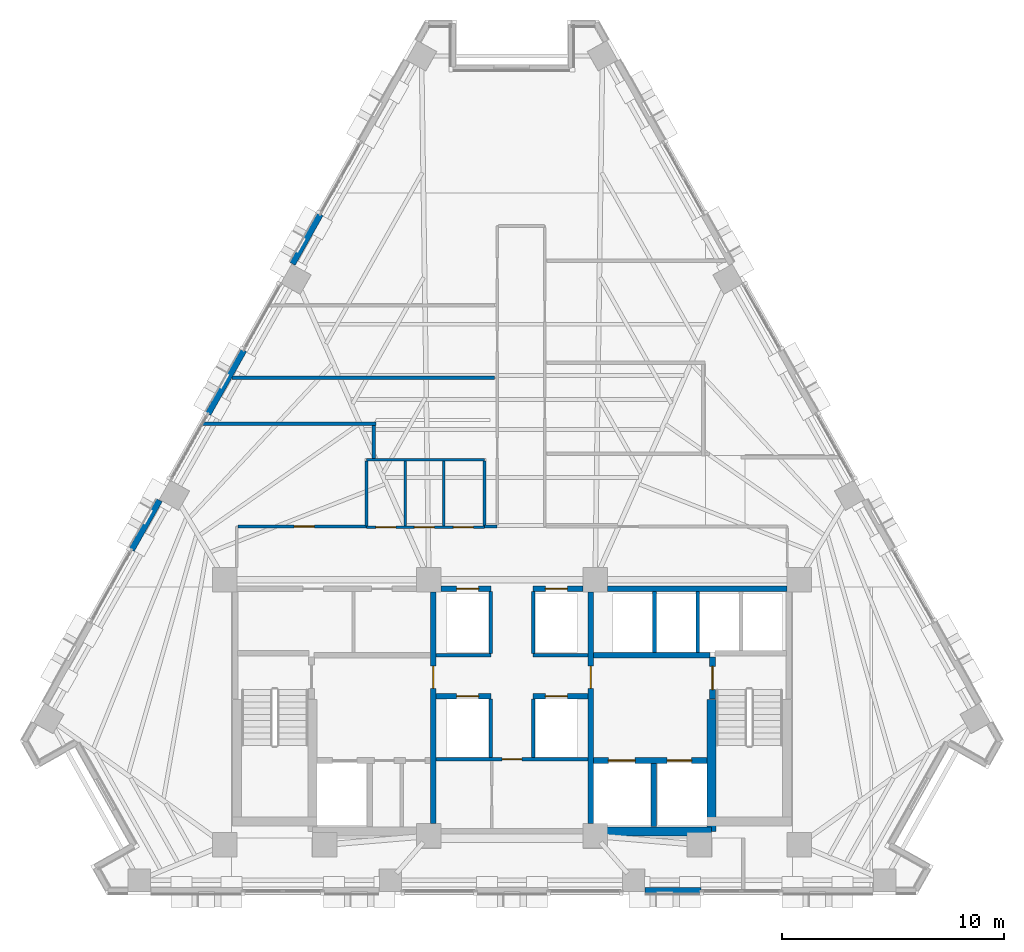
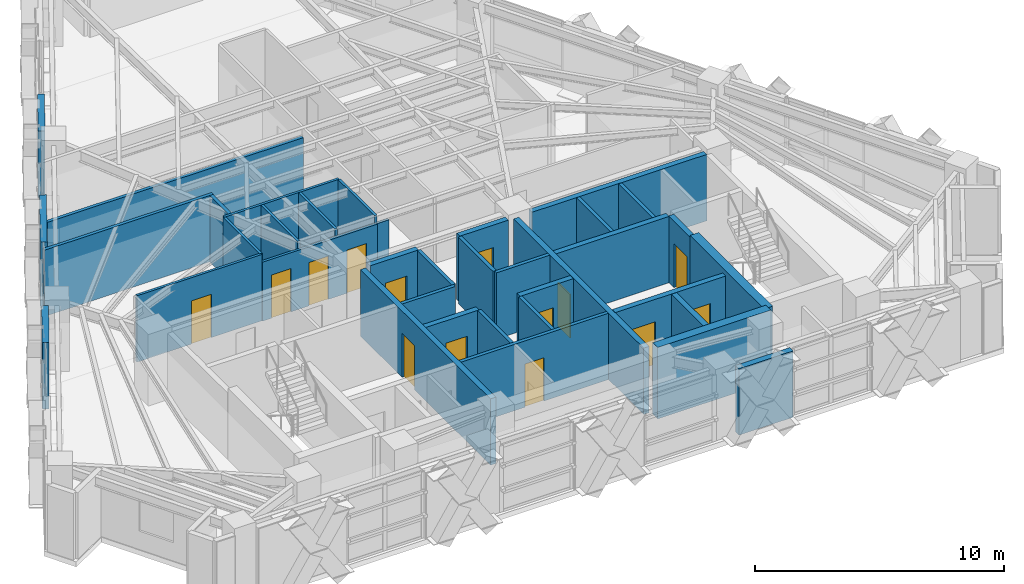
# One storey, part 8 of 14: 37 walls, 14 doors, 14 openings.
"""IFC4 building model written with IfcOpenShell, lengths in metres."""

from ifc_helpers import new_model, si_unit, direction, frame, frame_2d, origin, place, context, subcontext, project, spatial, rectangle, extrude, material, layer, layer_set, type_object, element, fill, save


model = new_model("IFC4")

# Units and contexts
model_context = context("Model", 3, precision=1e-05, world=origin(), true_north=direction((0.0, 1.0)))
body_context = subcontext(model_context, "Body", "Model", "MODEL_VIEW")
ifc_project = project(units=[si_unit("LENGTHUNIT", "METRE"), si_unit("AREAUNIT", "SQUARE_METRE"), si_unit("VOLUMEUNIT", "CUBIC_METRE"), si_unit("PLANEANGLEUNIT", "RADIAN"), si_unit("MASSUNIT", "GRAM", prefix="KILO")], contexts=[model_context])

# Site, building, storey
site_placement = place(None, origin())
site = spatial("IfcSite", under=ifc_project, at=site_placement, CompositionType="ELEMENT")
building_placement = place(site_placement, origin())
building = spatial("IfcBuilding", under=site, at=building_placement, Name="Quenlor Broadcast Tower", CompositionType="ELEMENT")
storey_placement = place(building_placement, frame((0.0, 0.0, 133.5)))
storey = spatial("IfcBuildingStorey", under=building, at=storey_placement, Name="L36", CompositionType="ELEMENT", Elevation=133.5)

# Walls
ifc_material_1 = material(Name="Acoustic Double Stud Gypsum Partition", Category="other")
ifc_layer_1 = layer(ifc_material_1, 0.14990234375)
ifc_layer_set_1 = layer_set([ifc_layer_1], Name="Broadcast Studio Acoustic Partition 150")
wall_type_1 = type_object("IfcWallType", Name="Broadcast Studio Acoustic Partition 150", PredefinedType="PARTITIONING", material=ifc_layer_set_1)
wall_1_placement = place(storey_placement, frame((-0.780029296875, 4.304931640625, 0.0), z_axis=(0.0, 0.0, 1.0), x_axis=(-1.0, 0.0, 0.0)))
element("IfcWall", 1, at=wall_1_placement, inside=storey, type_object=wall_type_1, Name="L36 Interior Wall PW-DV-03", PredefinedType="PARTITIONING", context=body_context, shape_type="SweptSolid", body=[
    extrude(rectangle(XDim=11.84716796875, YDim=0.14990234375, at=frame_2d((5.923583984375, 0.0))), origin(), (0.0, 0.0, 1.0), 2.891357421875),
])
wall_2_placement = place(storey_placement, frame((-6.139892578125, 2.233642578125, 0.0), z_axis=(0.0, 0.0, 1.0), x_axis=(-0.999999875343, -0.000499313382, 0.0)))
element("IfcWall", 2, at=wall_2_placement, inside=storey, type_object=wall_type_1, Name="L36 Interior Wall PW-DV-08", PredefinedType="PARTITIONING", context=body_context, shape_type="SweptSolid", body=[
    extrude(rectangle(XDim=7.8232421875, YDim=0.14990234375, at=frame_2d((3.91162109375, 0.0))), origin(), (0.0, 0.0, 1.0), 3.25),
])
wall_3_placement = place(storey_placement, frame((-6.239990234375, 0.669921875, 0.0), z_axis=(0.0, 0.0, 1.0), x_axis=(0.0, 1.0, 0.0)))
element("IfcWall", 3, at=wall_3_placement, inside=storey, type_object=wall_type_1, Name="L36 Interior Wall PW-DV-09", PredefinedType="PARTITIONING", context=body_context, shape_type="SweptSolid", body=[
    extrude(rectangle(XDim=1.486572265625, YDim=0.14990234375, at=frame_2d((0.7431640625, 0.0))), origin(), (0.0, 0.0, 1.0), 3.25),
])
ifc_material_2 = material(Name="Concrete C50/60", Category="concrete")
ifc_layer_2 = layer(ifc_material_2, 0.39990234375)
ifc_layer_set_2 = layer_set([ifc_layer_2], Name="Core Concrete C50/60 Shear Wall 400")
wall_type_2 = type_object("IfcWallType", Name="Core Concrete C50/60 Shear Wall 400", PredefinedType="SHEAR", material=ifc_layer_set_2)
wall_4_placement = place(storey_placement, frame((3.75, -16.14990234375, 0.0), z_axis=(0.0, 0.0, 1.0), x_axis=(1.0, 0.0, 0.0)))
element("IfcWall", 4, at=wall_4_placement, inside=storey, type_object=wall_type_2, Name="L36 Core Shear Wall WS-E1", PredefinedType="SHEAR", context=body_context, shape_type="SweptSolid", body=[
    extrude(rectangle(XDim=5.25, YDim=0.39990234375, at=frame_2d((2.625, 0.0))), origin(), (0.0, 0.0, 1.0), 3.5),
])
wall_5_placement = place(storey_placement, frame((9.0, -16.14990234375, 0.0), z_axis=(0.0, 0.0, 1.0), x_axis=(0.0, 1.0, 0.0)))
element("IfcWall", 5, at=wall_5_placement, inside=storey, type_object=wall_type_2, Name="L36 Core Shear Wall WI-E", PredefinedType="SHEAR", context=body_context, shape_type="SweptSolid", body=[
    extrude(rectangle(XDim=5.949951171875, YDim=0.39990234375, at=frame_2d((2.97509765625, 0.0))), origin(), (0.0, 0.0, 1.0), 3.5),
])

# Wall, opening, door
ifc_material_3 = material(Name="Concrete C40/50", Category="concrete")
ifc_layer_3 = layer(ifc_material_3, 0.25)
ifc_layer_set_3 = layer_set([ifc_layer_3], Name="Fire Rated Concrete C40/50 Core Wall 250")
wall_type_3 = type_object("IfcWallType", Name="Fire Rated Concrete C40/50 Core Wall 250", PredefinedType="PARTITIONING", material=ifc_layer_set_3)
wall_6_placement = place(storey_placement, frame((9.0400390625, -10.179931640625, 0.0), z_axis=(0.0, 0.0, 1.0), x_axis=(0.0, 1.0, 0.0)))
wall_6 = element("IfcWall", 6, at=wall_6_placement, inside=storey, type_object=wall_type_3, Name="L36 Interior Wall CW-ST2-DR", PredefinedType="PARTITIONING", context=body_context, shape_type="SweptSolid", body=[
    extrude(rectangle(XDim=1.89990234375, YDim=0.25, at=frame_2d((0.949951171875, 0.0))), origin(), (0.0, 0.0, 1.0), 3.25),
])
opening_1_placement = place(wall_6_placement, frame((0.419921875, 0.0, 0.0)))
opening_1 = element("IfcOpeningElement", 7, at=opening_1_placement, cuts=wall_6, Name="Opening FD-1", PredefinedType="OPENING", context=body_context, shape_type="SweptSolid", body=[
    extrude(rectangle(XDim=1.050048828125, YDim=2.14990234375, at=frame_2d((0.52490234375, 1.074951171875))), frame((0.0, 0.135009765625, 0.0), z_axis=(0.0, -1.0, 0.0), x_axis=(1.0, 0.0, 0.0)), (0.0, 0.0, 1.0), 0.27001953125),
])
ifc_material_4 = material(Name="Fire Rated Steel Door Leaf", Category="steel")
door_type_1 = type_object("IfcDoorType", Name="Fire Isolated Stair Door 1050x2150", OperationType="NOTDEFINED", PredefinedType="DOOR", material=ifc_material_4)
door_1_placement = place(opening_1_placement, origin())
door_1 = element("IfcDoor", 8, at=door_1_placement, inside=storey, type_object=door_type_1, Name="L36 Door DR-ST2", OperationType="SINGLE_SWING_RIGHT", OverallHeight=2.14990234375, OverallWidth=1.050048828125, PredefinedType="DOOR", context=body_context, shape_type="SweptSolid", body=[
    extrude(rectangle(XDim=1.050048828125, YDim=2.14990234375, at=frame_2d((0.52490234375, 1.074951171875))), frame((0.0, 0.02490234375, 0.0), z_axis=(0.0, -1.0, 0.0), x_axis=(1.0, 0.0, 0.0)), (0.0, 0.0, 1.0), 0.050048828125),
])
fill(opening_1, door_1)

# Wall, openings, doors
wall_7_placement = place(storey_placement, frame((3.679931640625, -12.949951171875, 0.0), z_axis=(0.0, 0.0, 1.0), x_axis=(1.0, 0.0, 0.0)))
wall_7 = element("IfcWall", 9, at=wall_7_placement, inside=storey, type_object=wall_type_3, Name="L36 Interior Wall CW-FFE-S", PredefinedType="PARTITIONING", context=body_context, shape_type="SweptSolid", body=[
    extrude(rectangle(XDim=5.1181640625, YDim=0.25, at=frame_2d((2.55908203125, 0.0))), origin(), (0.0, 0.0, 1.0), 3.25),
])
opening_2_placement = place(wall_7_placement, frame((3.320068359375, 0.0, 0.0)))
opening_2 = element("IfcOpeningElement", 10, at=opening_2_placement, cuts=wall_7, Name="Opening LD-FFL-2", PredefinedType="OPENING", context=body_context, shape_type="SweptSolid", body=[
    extrude(rectangle(XDim=1.10009765625, YDim=2.14990234375, at=frame_2d((0.550048828125, 1.074951171875))), frame((0.0, 0.135009765625, 0.0), z_axis=(0.0, -1.0, 0.0), x_axis=(1.0, 0.0, 0.0)), (0.0, 0.0, 1.0), 0.27001953125),
])
opening_3_placement = place(wall_7_placement, frame((0.669921875, 0.0, 0.0)))
opening_3 = element("IfcOpeningElement", 11, at=opening_3_placement, cuts=wall_7, Name="Opening LD-SVL-1", PredefinedType="OPENING", context=body_context, shape_type="SweptSolid", body=[
    extrude(rectangle(XDim=1.199951171875, YDim=2.14990234375, at=frame_2d((0.60009765625, 1.074951171875))), frame((0.0, 0.135009765625, 0.0), z_axis=(0.0, -1.0, 0.0), x_axis=(1.0, 0.0, 0.0)), (0.0, 0.0, 1.0), 0.27001953125),
])
ifc_material_5 = material(Name="Brushed Stainless Steel", Category="steel")
door_type_2 = type_object("IfcDoorType", Name="Emergency Lift Sliding Landing Door 1100x2150", OperationType="NOTDEFINED", PredefinedType="DOOR", material=ifc_material_5)
door_2_placement = place(opening_2_placement, origin())
door_2 = element("IfcDoor", 12, at=door_2_placement, inside=storey, type_object=door_type_2, Name="L36 Door LD-FFL-2", OperationType="SLIDING_TO_RIGHT", OverallHeight=2.14990234375, OverallWidth=1.10009765625, PredefinedType="DOOR", context=body_context, shape_type="SweptSolid", body=[
    extrude(rectangle(XDim=1.10009765625, YDim=2.14990234375, at=frame_2d((0.550048828125, 1.074951171875))), frame((0.0, 0.02490234375, 0.0), z_axis=(0.0, -1.0, 0.0), x_axis=(1.0, 0.0, 0.0)), (0.0, 0.0, 1.0), 0.050048828125),
])
fill(opening_2, door_2)
ifc_material_6 = material(Name="Brushed Stainless Steel", Category="steel")
door_type_3 = type_object("IfcDoorType", Name="Goods Lift Sliding Landing Door 1200x2150", OperationType="NOTDEFINED", PredefinedType="DOOR", material=ifc_material_6)
door_3_placement = place(opening_3_placement, origin())
door_3 = element("IfcDoor", 13, at=door_3_placement, inside=storey, type_object=door_type_3, Name="L36 Door LD-SVL-1", OperationType="SLIDING_TO_LEFT", OverallHeight=2.14990234375, OverallWidth=1.199951171875, PredefinedType="DOOR", context=body_context, shape_type="SweptSolid", body=[
    extrude(rectangle(XDim=1.199951171875, YDim=2.14990234375, at=frame_2d((0.60009765625, 1.074951171875))), frame((0.0, 0.02490234375, 0.0), z_axis=(0.0, -1.0, 0.0), x_axis=(1.0, 0.0, 0.0)), (0.0, 0.0, 1.0), 0.050048828125),
])
fill(opening_3, door_3)

# Walls
wall_8_placement = place(storey_placement, frame((6.39990234375, -15.919921875, 0.0), z_axis=(0.0, 0.0, 1.0), x_axis=(0.0, 1.0, 0.0)))
element("IfcWall", 14, at=wall_8_placement, inside=storey, type_object=wall_type_3, Name="L36 Interior Wall CW-SV1-E", PredefinedType="PARTITIONING", context=body_context, shape_type="SweptSolid", body=[
    extrude(rectangle(XDim=2.829833984375, YDim=0.25, at=frame_2d((1.4150390625, 0.0))), origin(), (0.0, 0.0, 1.0), 3.25),
])
wall_9_placement = place(storey_placement, frame((3.679931640625, -8.199951171875, 0.0), z_axis=(0.0, 0.0, 1.0), x_axis=(1.0, 0.0, 0.0)))
element("IfcWall", 15, at=wall_9_placement, inside=storey, type_object=wall_type_3, Name="L36 Interior Wall CW-FFE-N", PredefinedType="PARTITIONING", context=body_context, shape_type="SweptSolid", body=[
    extrude(rectangle(XDim=5.239990234375, YDim=0.25, at=frame_2d((2.6201171875, 0.0))), origin(), (0.0, 0.0, 1.0), 3.25),
])

# Wall, opening, door
wall_10_placement = place(storey_placement, frame((-3.550048828125, -15.798095703125, 0.0), z_axis=(0.0, 0.0, 1.0), x_axis=(0.0, 1.0, 0.0)))
wall_10 = element("IfcWall", 16, at=wall_10_placement, inside=storey, type_object=wall_type_3, Name="L36 Interior Wall CW-FFW-E", PredefinedType="PARTITIONING", context=body_context, shape_type="SweptSolid", body=[
    extrude(rectangle(XDim=10.446044921875, YDim=0.25, at=frame_2d((5.22314453125, 0.0))), origin(), (0.0, 0.0, 1.0), 3.25),
])
opening_4_placement = place(wall_10_placement, frame((6.097900390625, 0.0, 0.0)))
opening_4 = element("IfcOpeningElement", 17, at=opening_4_placement, cuts=wall_10, Name="Opening FD-2", PredefinedType="OPENING", context=body_context, shape_type="SweptSolid", body=[
    extrude(rectangle(XDim=1.0, YDim=2.14990234375, at=frame_2d((0.5, 1.074951171875))), frame((0.0, 0.135009765625, 0.0), z_axis=(0.0, -1.0, 0.0), x_axis=(1.0, 0.0, 0.0)), (0.0, 0.0, 1.0), 0.27001953125),
])
ifc_material_7 = material(Name="Fire Rated Glazed Steel Door", Category="steel")
door_type_4 = type_object("IfcDoorType", Name="Firefighting Lobby Smoke Door 1000x2150", OperationType="NOTDEFINED", PredefinedType="DOOR", material=ifc_material_7)
door_4_placement = place(opening_4_placement, origin())
door_4 = element("IfcDoor", 18, at=door_4_placement, inside=storey, type_object=door_type_4, Name="L36 Door DR-FFLW", OperationType="SINGLE_SWING_RIGHT", OverallHeight=2.14990234375, OverallWidth=1.0, PredefinedType="DOOR", context=body_context, shape_type="SweptSolid", body=[
    extrude(rectangle(XDim=1.0, YDim=2.14990234375, at=frame_2d((0.5, 1.074951171875))), frame((0.0, 0.02490234375, 0.0), z_axis=(0.0, -1.0, 0.0), x_axis=(1.0, 0.0, 0.0)), (0.0, 0.0, 1.0), 0.050048828125),
])
fill(opening_4, door_4)

wall_11_placement = place(storey_placement, frame((3.550048828125, -15.798095703125, 0.0), z_axis=(0.0, 0.0, 1.0), x_axis=(0.0, 1.0, 0.0)))
wall_11 = element("IfcWall", 19, at=wall_11_placement, inside=storey, type_object=wall_type_3, Name="L36 Interior Wall CW-FFE-W", PredefinedType="PARTITIONING", context=body_context, shape_type="SweptSolid", body=[
    extrude(rectangle(XDim=10.446044921875, YDim=0.25, at=frame_2d((5.22314453125, 0.0))), origin(), (0.0, 0.0, 1.0), 3.25),
])
opening_5_placement = place(wall_11_placement, frame((6.097900390625, 0.0, 0.0)))
opening_5 = element("IfcOpeningElement", 20, at=opening_5_placement, cuts=wall_11, Name="Opening FD-2", PredefinedType="OPENING", context=body_context, shape_type="SweptSolid", body=[
    extrude(rectangle(XDim=1.0, YDim=2.14990234375, at=frame_2d((0.5, 1.074951171875))), frame((0.0, 0.135009765625, 0.0), z_axis=(0.0, -1.0, 0.0), x_axis=(1.0, 0.0, 0.0)), (0.0, 0.0, 1.0), 0.27001953125),
])
door_5_placement = place(opening_5_placement, origin())
door_5 = element("IfcDoor", 21, at=door_5_placement, inside=storey, type_object=door_type_4, Name="L36 Door DR-FFLE", OperationType="SINGLE_SWING_LEFT", OverallHeight=2.14990234375, OverallWidth=1.0, PredefinedType="DOOR", context=body_context, shape_type="SweptSolid", body=[
    extrude(rectangle(XDim=1.0, YDim=2.14990234375, at=frame_2d((0.5, 1.074951171875))), frame((0.0, 0.02490234375, 0.0), z_axis=(0.0, -1.0, 0.0), x_axis=(1.0, 0.0, 0.0)), (0.0, 0.0, 1.0), 0.050048828125),
])
fill(opening_5, door_5)

# Wall
wall_12_placement = place(storey_placement, frame((4.302001953125, -5.199951171875, 0.0), z_axis=(0.0, 0.0, 1.0), x_axis=(1.0, 0.0, 0.0)))
element("IfcWall", 22, at=wall_12_placement, inside=storey, type_object=wall_type_3, Name="L36 Interior Wall CW-N-E", PredefinedType="PARTITIONING", context=body_context, shape_type="SweptSolid", body=[
    extrude(rectangle(XDim=8.095947265625, YDim=0.25, at=frame_2d((4.0478515625, 0.0))), origin(), (0.0, 0.0, 1.0), 3.25),
])

# Wall, opening, door
wall_13_placement = place(storey_placement, frame((-3.197998046875, -5.199951171875, 0.0), z_axis=(0.0, 0.0, 1.0), x_axis=(1.0, 0.0, 0.0)))
wall_13 = element("IfcWall", 23, at=wall_13_placement, inside=storey, type_object=wall_type_3, Name="L36 Interior Wall CW-N-M1", PredefinedType="PARTITIONING", context=body_context, shape_type="SweptSolid", body=[
    extrude(rectangle(XDim=2.248046875, YDim=0.25, at=frame_2d((1.1240234375, 0.0))), origin(), (0.0, 0.0, 1.0), 3.25),
])
opening_6_placement = place(wall_13_placement, frame((0.697998046875, 0.0, 0.0)))
opening_6 = element("IfcOpeningElement", 24, at=opening_6_placement, cuts=wall_13, Name="Opening LD-PL-M1", PredefinedType="OPENING", context=body_context, shape_type="SweptSolid", body=[
    extrude(rectangle(XDim=1.0, YDim=2.14990234375, at=frame_2d((0.5, 1.074951171875))), frame((0.0, 0.135009765625, 0.0), z_axis=(0.0, -1.0, 0.0), x_axis=(1.0, 0.0, 0.0)), (0.0, 0.0, 1.0), 0.27001953125),
])
ifc_material_8 = material(Name="Brushed Stainless Steel", Category="steel")
door_type_5 = type_object("IfcDoorType", Name="Passenger Lift Sliding Landing Door 1000x2150", OperationType="NOTDEFINED", PredefinedType="DOOR", material=ifc_material_8)
door_6_placement = place(opening_6_placement, origin())
door_6 = element("IfcDoor", 25, at=door_6_placement, inside=storey, type_object=door_type_5, Name="L36 Door LD-PL-M1", OperationType="SLIDING_TO_LEFT", OverallHeight=2.14990234375, OverallWidth=1.0, PredefinedType="DOOR", context=body_context, shape_type="SweptSolid", body=[
    extrude(rectangle(XDim=1.0, YDim=2.14990234375, at=frame_2d((0.5, 1.074951171875))), frame((0.0, 0.02490234375, 0.0), z_axis=(0.0, -1.0, 0.0), x_axis=(1.0, 0.0, 0.0)), (0.0, 0.0, 1.0), 0.050048828125),
])
fill(opening_6, door_6)

wall_14_placement = place(storey_placement, frame((0.949951171875, -5.199951171875, 0.0), z_axis=(0.0, 0.0, 1.0), x_axis=(1.0, 0.0, 0.0)))
wall_14 = element("IfcWall", 26, at=wall_14_placement, inside=storey, type_object=wall_type_3, Name="L36 Interior Wall CW-N-M2", PredefinedType="PARTITIONING", context=body_context, shape_type="SweptSolid", body=[
    extrude(rectangle(XDim=2.248046875, YDim=0.25, at=frame_2d((1.1240234375, 0.0))), origin(), (0.0, 0.0, 1.0), 3.25),
])
opening_7_placement = place(wall_14_placement, frame((0.550048828125, 0.0, 0.0)))
opening_7 = element("IfcOpeningElement", 27, at=opening_7_placement, cuts=wall_14, Name="Opening LD-PL-M2", PredefinedType="OPENING", context=body_context, shape_type="SweptSolid", body=[
    extrude(rectangle(XDim=1.0, YDim=2.14990234375, at=frame_2d((0.5, 1.074951171875))), frame((0.0, 0.135009765625, 0.0), z_axis=(0.0, -1.0, 0.0), x_axis=(1.0, 0.0, 0.0)), (0.0, 0.0, 1.0), 0.27001953125),
])
door_7_placement = place(opening_7_placement, origin())
door_7 = element("IfcDoor", 28, at=door_7_placement, inside=storey, type_object=door_type_5, Name="L36 Door LD-PL-M2", OperationType="SLIDING_TO_RIGHT", OverallHeight=2.14990234375, OverallWidth=1.0, PredefinedType="DOOR", context=body_context, shape_type="SweptSolid", body=[
    extrude(rectangle(XDim=1.0, YDim=2.14990234375, at=frame_2d((0.5, 1.074951171875))), frame((0.0, 0.02490234375, 0.0), z_axis=(0.0, -1.0, 0.0), x_axis=(1.0, 0.0, 0.0)), (0.0, 0.0, 1.0), 0.050048828125),
])
fill(opening_7, door_7)

wall_15_placement = place(storey_placement, frame((-3.419921875, -10.050048828125, 0.0), z_axis=(0.0, 0.0, 1.0), x_axis=(1.0, 0.0, 0.0)))
wall_15 = element("IfcWall", 29, at=wall_15_placement, inside=storey, type_object=wall_type_3, Name="L36 Interior Wall CW-MS-N1", PredefinedType="PARTITIONING", context=body_context, shape_type="SweptSolid", body=[
    extrude(rectangle(XDim=2.469970703125, YDim=0.25, at=frame_2d((1.23486328125, 0.0))), origin(), (0.0, 0.0, 1.0), 3.25),
])
opening_8_placement = place(wall_15_placement, frame((0.919921875, 0.0, 0.0)))
opening_8 = element("IfcOpeningElement", 30, at=opening_8_placement, cuts=wall_15, Name="Opening LD-PL-M3", PredefinedType="OPENING", context=body_context, shape_type="SweptSolid", body=[
    extrude(rectangle(XDim=1.0, YDim=2.14990234375, at=frame_2d((0.5, 1.074951171875))), frame((0.0, 0.135009765625, 0.0), z_axis=(0.0, -1.0, 0.0), x_axis=(1.0, 0.0, 0.0)), (0.0, 0.0, 1.0), 0.27001953125),
])
door_8_placement = place(opening_8_placement, origin())
door_8 = element("IfcDoor", 31, at=door_8_placement, inside=storey, type_object=door_type_5, Name="L36 Door LD-PL-M3", OperationType="SLIDING_TO_LEFT", OverallHeight=2.14990234375, OverallWidth=1.0, PredefinedType="DOOR", context=body_context, shape_type="SweptSolid", body=[
    extrude(rectangle(XDim=1.0, YDim=2.14990234375, at=frame_2d((0.5, 1.074951171875))), frame((0.0, 0.02490234375, 0.0), z_axis=(0.0, -1.0, 0.0), x_axis=(1.0, 0.0, 0.0)), (0.0, 0.0, 1.0), 0.050048828125),
])
fill(opening_8, door_8)

wall_16_placement = place(storey_placement, frame((0.949951171875, -10.050048828125, 0.0), z_axis=(0.0, 0.0, 1.0), x_axis=(1.0, 0.0, 0.0)))
wall_16 = element("IfcWall", 32, at=wall_16_placement, inside=storey, type_object=wall_type_3, Name="L36 Interior Wall CW-MS-N2", PredefinedType="PARTITIONING", context=body_context, shape_type="SweptSolid", body=[
    extrude(rectangle(XDim=2.469970703125, YDim=0.25, at=frame_2d((1.23486328125, 0.0))), origin(), (0.0, 0.0, 1.0), 3.25),
])
opening_9_placement = place(wall_16_placement, frame((0.550048828125, 0.0, 0.0)))
opening_9 = element("IfcOpeningElement", 33, at=opening_9_placement, cuts=wall_16, Name="Opening LD-PL-M4", PredefinedType="OPENING", context=body_context, shape_type="SweptSolid", body=[
    extrude(rectangle(XDim=1.0, YDim=2.14990234375, at=frame_2d((0.5, 1.074951171875))), frame((0.0, 0.135009765625, 0.0), z_axis=(0.0, -1.0, 0.0), x_axis=(1.0, 0.0, 0.0)), (0.0, 0.0, 1.0), 0.27001953125),
])
door_9_placement = place(opening_9_placement, origin())
door_9 = element("IfcDoor", 34, at=door_9_placement, inside=storey, type_object=door_type_5, Name="L36 Door LD-PL-M4", OperationType="SLIDING_TO_RIGHT", OverallHeight=2.14990234375, OverallWidth=1.0, PredefinedType="DOOR", context=body_context, shape_type="SweptSolid", body=[
    extrude(rectangle(XDim=1.0, YDim=2.14990234375, at=frame_2d((0.5, 1.074951171875))), frame((0.0, 0.02490234375, 0.0), z_axis=(0.0, -1.0, 0.0), x_axis=(1.0, 0.0, 0.0)), (0.0, 0.0, 1.0), 0.050048828125),
])
fill(opening_9, door_9)

# Walls
ifc_material_9 = material(Name="Gypsum Fireboard Partition", Category="other")
ifc_layer_4 = layer(ifc_material_9, 0.159912109375)
ifc_layer_set_4 = layer_set([ifc_layer_4], Name="Fire Rated Shaft and Corridor Partition 160")
wall_type_4 = type_object("IfcWallType", Name="Fire Rated Shaft and Corridor Partition 160", PredefinedType="PARTITIONING", material=ifc_layer_set_4)
for number, where, z_axis, x_axis, name in (
    (35, (6.425048828125, -8.072998046875, 0.0), (0.0, 0.0, 1.0), (0.0, 1.0, 0.0), "L36 Interior Wall CW-PLH-D1"),
    (36, (8.375, -8.072998046875, 0.0), (0.0, 0.0, 1.0), (0.0, 1.0, 0.0), "L36 Interior Wall CW-PLH-D2"),
):
    element("IfcWall", number, at=place(storey_placement, frame(where, z_axis=z_axis, x_axis=x_axis)), inside=storey, type_object=wall_type_4, Name=name, PredefinedType="PARTITIONING", context=body_context, shape_type="SweptSolid", body=[
        extrude(rectangle(XDim=2.73291015625, YDim=0.159912109375, at=frame_2d((1.366455078125, 0.0))), origin(), (0.0, 0.0, 1.0), 3.25),
    ])
for number, where, z_axis, x_axis, name in (
    (37, (-0.949951171875, -8.1201171875, 0.0), (0.0, 0.0, 1.0), (0.0, 1.0, 0.0), "L36 Interior Wall CW-CCRP-W"),
    (38, (0.949951171875, -8.1201171875, 0.0), (0.0, 0.0, 1.0), (0.0, 1.0, 0.0), "L36 Interior Wall CW-CCRP-E"),
):
    element("IfcWall", number, at=place(storey_placement, frame(where, z_axis=z_axis, x_axis=x_axis)), inside=storey, type_object=wall_type_4, Name=name, PredefinedType="PARTITIONING", context=body_context, shape_type="SweptSolid", body=[
        extrude(rectangle(XDim=2.780029296875, YDim=0.159912109375, at=frame_2d((1.39013671875, 0.0))), origin(), (0.0, 0.0, 1.0), 3.25),
    ])
for number, where, z_axis, x_axis, name in (
    (39, (-3.419921875, -8.199951171875, 0.0), (0.0, 0.0, 1.0), (1.0, 0.0, 0.0), "L36 Interior Wall CW-M-BACK1"),
    (40, (0.949951171875, -8.199951171875, 0.0), (0.0, 0.0, 1.0), (1.0, 0.0, 0.0), "L36 Interior Wall CW-M-BACK2"),
):
    element("IfcWall", number, at=place(storey_placement, frame(where, z_axis=z_axis, x_axis=x_axis)), inside=storey, type_object=wall_type_4, Name=name, PredefinedType="PARTITIONING", context=body_context, shape_type="SweptSolid", body=[
        extrude(rectangle(XDim=2.469970703125, YDim=0.159912109375, at=frame_2d((1.23486328125, 0.0))), origin(), (0.0, 0.0, 1.0), 3.25),
    ])

# Wall, opening, door
wall_17_placement = place(storey_placement, frame((-3.419921875, -12.89990234375, 0.0), z_axis=(0.0, 0.0, 1.0), x_axis=(1.0, 0.0, 0.0)))
wall_17 = element("IfcWall", 41, at=wall_17_placement, inside=storey, type_object=wall_type_4, Name="L36 Interior Wall CW-MS-B", PredefinedType="PARTITIONING", context=body_context, shape_type="SweptSolid", body=[
    extrude(rectangle(XDim=6.83984375, YDim=0.159912109375, at=frame_2d((3.419921875, 0.0))), origin(), (0.0, 0.0, 1.0), 3.25),
])
opening_10_placement = place(wall_17_placement, frame((2.97998046875, 0.0, 0.0)))
opening_10 = element("IfcOpeningElement", 42, at=opening_10_placement, cuts=wall_17, Name="Opening ID-4", PredefinedType="OPENING", context=body_context, shape_type="SweptSolid", body=[
    extrude(rectangle(XDim=0.8798828125, YDim=2.1201171875, at=frame_2d((0.43994140625, 1.06005859375))), frame((0.0, 0.08984375, 0.0), z_axis=(0.0, -1.0, 0.0), x_axis=(1.0, 0.0, 0.0)), (0.0, 0.0, 1.0), 0.179931640625),
])
ifc_material_10 = material(Name="Solid Core Timber Oak", Category="wood")
door_type_6 = type_object("IfcDoorType", Name="Service Closet Timber Door 880x2120", OperationType="NOTDEFINED", PredefinedType="DOOR", material=ifc_material_10)
door_10_placement = place(opening_10_placement, origin())
door_10 = element("IfcDoor", 43, at=door_10_placement, inside=storey, type_object=door_type_6, Name="L36 Door DR-CSV0", OperationType="SINGLE_SWING_LEFT", OverallHeight=2.1201171875, OverallWidth=0.8798828125, PredefinedType="DOOR", context=body_context, shape_type="SweptSolid", body=[
    extrude(rectangle(XDim=0.8798828125, YDim=2.1201171875, at=frame_2d((0.43994140625, 1.06005859375))), frame((0.0, 0.02490234375, 0.0), z_axis=(0.0, -1.0, 0.0), x_axis=(1.0, 0.0, 0.0)), (0.0, 0.0, 1.0), 0.050048828125),
])
fill(opening_10, door_10)

# Walls
for number, where, z_axis, x_axis, name in (
    (44, (-0.949951171875, -12.818115234375, 0.0), (0.0, 0.0, 1.0), (0.0, 1.0, 0.0), "L36 Interior Wall CW-MS-W"),
    (45, (0.949951171875, -12.818115234375, 0.0), (0.0, 0.0, 1.0), (0.0, 1.0, 0.0), "L36 Interior Wall CW-MS-E"),
):
    element("IfcWall", number, at=place(storey_placement, frame(where, z_axis=z_axis, x_axis=x_axis)), inside=storey, type_object=wall_type_4, Name=name, PredefinedType="PARTITIONING", context=body_context, shape_type="SweptSolid", body=[
        extrude(rectangle(XDim=2.63818359375, YDim=0.159912109375, at=frame_2d((1.319091796875, 0.0))), origin(), (0.0, 0.0, 1.0), 3.25),
    ])

# Wall, openings, doors
ifc_material_11 = material(Name="Gypsum Plasterboard Partition", Category="other")
ifc_layer_5 = layer(ifc_material_11, 0.1201171875)
ifc_layer_set_5 = layer_set([ifc_layer_5], Name="Standard Office Partition 120")
wall_type_5 = type_object("IfcWallType", Name="Standard Office Partition 120", PredefinedType="PARTITIONING", material=ifc_layer_set_5)
wall_18_placement = place(storey_placement, frame((-6.56005859375, -2.43994140625, 0.0), z_axis=(0.0, 0.0, 1.0), x_axis=(1.0, 0.0, 0.0)))
wall_18 = element("IfcWall", 46, at=wall_18_placement, inside=storey, type_object=wall_type_5, Name="L36 Interior Wall PW-WC-S", PredefinedType="PARTITIONING", context=body_context, shape_type="SweptSolid", body=[
    extrude(rectangle(XDim=5.320068359375, YDim=0.1201171875, at=frame_2d((2.66015625, 0.0))), origin(), (0.0, 0.0, 1.0), 2.891357421875),
])
opening_11_placement = place(wall_18_placement, frame((0.419921875, 0.0, 0.0)))
opening_11 = element("IfcOpeningElement", 47, at=opening_11_placement, cuts=wall_18, Name="Opening ID-3", PredefinedType="OPENING", context=body_context, shape_type="SweptSolid", body=[
    extrude(rectangle(XDim=0.89990234375, YDim=2.1201171875, at=frame_2d((0.449951171875, 1.06005859375))), frame((0.0, 0.070068359375, 0.0), z_axis=(0.0, -1.0, 0.0), x_axis=(1.0, 0.0, 0.0)), (0.0, 0.0, 1.0), 0.14013671875),
])
opening_12_placement = place(wall_18_placement, frame((2.159912109375, 0.0, 0.0)))
opening_12 = element("IfcOpeningElement", 48, at=opening_12_placement, cuts=wall_18, Name="Opening ID-3", PredefinedType="OPENING", context=body_context, shape_type="SweptSolid", body=[
    extrude(rectangle(XDim=0.89990234375, YDim=2.1201171875, at=frame_2d((0.449951171875, 1.06005859375))), frame((0.0, 0.070068359375, 0.0), z_axis=(0.0, -1.0, 0.0), x_axis=(1.0, 0.0, 0.0)), (0.0, 0.0, 1.0), 0.14013671875),
])
opening_13_placement = place(wall_18_placement, frame((3.919921875, 0.0, 0.0)))
opening_13 = element("IfcOpeningElement", 49, at=opening_13_placement, cuts=wall_18, Name="Opening ID-3", PredefinedType="OPENING", context=body_context, shape_type="SweptSolid", body=[
    extrude(rectangle(XDim=0.89990234375, YDim=2.1201171875, at=frame_2d((0.449951171875, 1.06005859375))), frame((0.0, 0.070068359375, 0.0), z_axis=(0.0, -1.0, 0.0), x_axis=(1.0, 0.0, 0.0)), (0.0, 0.0, 1.0), 0.14013671875),
])
ifc_material_12 = material(Name="Moisture Resistant Timber Oak", Category="wood")
door_type_7 = type_object("IfcDoorType", Name="Washroom Privacy Door 900x2120", OperationType="NOTDEFINED", PredefinedType="DOOR", material=ifc_material_12)
door_11_placement = place(opening_11_placement, origin())
door_11 = element("IfcDoor", 50, at=door_11_placement, inside=storey, type_object=door_type_7, Name="L36 Door DR-FWC", OperationType="SINGLE_SWING_LEFT", OverallHeight=2.1201171875, OverallWidth=0.89990234375, PredefinedType="DOOR", context=body_context, shape_type="SweptSolid", body=[
    extrude(rectangle(XDim=0.89990234375, YDim=2.1201171875, at=frame_2d((0.449951171875, 1.06005859375))), frame((0.0, 0.02490234375, 0.0), z_axis=(0.0, -1.0, 0.0), x_axis=(1.0, 0.0, 0.0)), (0.0, 0.0, 1.0), 0.050048828125),
])
fill(opening_11, door_11)
door_12_placement = place(opening_12_placement, origin())
door_12 = element("IfcDoor", 51, at=door_12_placement, inside=storey, type_object=door_type_7, Name="L36 Door DR-MWC", OperationType="SINGLE_SWING_RIGHT", OverallHeight=2.1201171875, OverallWidth=0.89990234375, PredefinedType="DOOR", context=body_context, shape_type="SweptSolid", body=[
    extrude(rectangle(XDim=0.89990234375, YDim=2.1201171875, at=frame_2d((0.449951171875, 1.06005859375))), frame((0.0, 0.02490234375, 0.0), z_axis=(0.0, -1.0, 0.0), x_axis=(1.0, 0.0, 0.0)), (0.0, 0.0, 1.0), 0.050048828125),
])
fill(opening_12, door_12)
door_13_placement = place(opening_13_placement, origin())
door_13 = element("IfcDoor", 52, at=door_13_placement, inside=storey, type_object=door_type_7, Name="L36 Door DR-AWC", OperationType="SINGLE_SWING_RIGHT", OverallHeight=2.1201171875, OverallWidth=0.89990234375, PredefinedType="DOOR", context=body_context, shape_type="SweptSolid", body=[
    extrude(rectangle(XDim=0.89990234375, YDim=2.1201171875, at=frame_2d((0.449951171875, 1.06005859375))), frame((0.0, 0.02490234375, 0.0), z_axis=(0.0, -1.0, 0.0), x_axis=(1.0, 0.0, 0.0)), (0.0, 0.0, 1.0), 0.050048828125),
])
fill(opening_13, door_13)

# Walls
wall_19_placement = place(storey_placement, frame((-6.56005859375, 0.610107421875, 0.0), z_axis=(0.0, 0.0, 1.0), x_axis=(1.0, 0.0, 0.0)))
element("IfcWall", 53, at=wall_19_placement, inside=storey, type_object=wall_type_5, Name="L36 Interior Wall PW-WC-N", PredefinedType="PARTITIONING", context=body_context, shape_type="SweptSolid", body=[
    extrude(rectangle(XDim=5.320068359375, YDim=0.1201171875, at=frame_2d((2.66015625, 0.0))), origin(), (0.0, 0.0, 1.0), 3.25),
])
for number, where, z_axis, x_axis, name in (
    (54, (-6.56005859375, -2.3779296875, 0.0), (0.0, 0.0, 1.0), (0.0, 1.0, 0.0), "L36 Interior Wall PW-WC-W"),
    (55, (-4.820068359375, -2.3779296875, 0.0), (0.0, 0.0, 1.0), (0.0, 1.0, 0.0), "L36 Interior Wall PW-WC-M1"),
    (56, (-3.080078125, -2.3779296875, 0.0), (0.0, 0.0, 1.0), (0.0, 1.0, 0.0), "L36 Interior Wall PW-WC-M2"),
    (57, (-1.239990234375, -2.3779296875, 0.0), (0.0, 0.0, 1.0), (0.0, 1.0, 0.0), "L36 Interior Wall PW-WC-E"),
):
    element("IfcWall", number, at=place(storey_placement, frame(where, z_axis=z_axis, x_axis=x_axis)), inside=storey, type_object=wall_type_5, Name=name, PredefinedType="PARTITIONING", context=body_context, shape_type="SweptSolid", body=[
        extrude(rectangle(XDim=2.926025390625, YDim=0.1201171875, at=frame_2d((1.462890625, 0.0))), origin(), (0.0, 0.0, 1.0), 3.25),
    ])

# Wall, opening, door
wall_20_placement = place(storey_placement, frame((-12.347900390625, -2.39990234375, 0.0), z_axis=(0.0, 0.0, 1.0), x_axis=(1.0, 0.0, 0.0)))
wall_20 = element("IfcWall", 58, at=wall_20_placement, inside=storey, type_object=wall_type_5, Name="L36 Interior Wall PW-CR-02", PredefinedType="PARTITIONING", context=body_context, shape_type="SweptSolid", body=[
    extrude(rectangle(XDim=5.785888671875, YDim=0.1201171875, at=frame_2d((2.89306640625, 0.0))), origin(), (0.0, 0.0, 1.0), 3.25),
])
opening_14_placement = place(wall_20_placement, frame((2.52197265625, 0.0, 0.0)))
opening_14 = element("IfcOpeningElement", 59, at=opening_14_placement, cuts=wall_20, Name="Opening ID-1", PredefinedType="OPENING", context=body_context, shape_type="SweptSolid", body=[
    extrude(rectangle(XDim=0.919921875, YDim=2.1201171875, at=frame_2d((0.4599609375, 1.06005859375))), frame((0.0, 0.070068359375, 0.0), z_axis=(0.0, -1.0, 0.0), x_axis=(1.0, 0.0, 0.0)), (0.0, 0.0, 1.0), 0.14013671875),
])
ifc_material_13 = material(Name="Solid Core Timber Oak", Category="wood")
door_type_8 = type_object("IfcDoorType", Name="Single Leaf Timber Office Door 920x2120", OperationType="NOTDEFINED", PredefinedType="DOOR", material=ifc_material_13)
door_14_placement = place(opening_14_placement, origin())
door_14 = element("IfcDoor", 60, at=door_14_placement, inside=storey, type_object=door_type_8, Name="L36 Door DR-RM08", OperationType="SINGLE_SWING_RIGHT", OverallHeight=2.1201171875, OverallWidth=0.919921875, PredefinedType="DOOR", context=body_context, shape_type="SweptSolid", body=[
    extrude(rectangle(XDim=0.919921875, YDim=2.1201171875, at=frame_2d((0.4599609375, 1.06005859375))), frame((0.0, 0.02490234375, 0.0), z_axis=(0.0, -1.0, 0.0), x_axis=(1.0, 0.0, 0.0)), (0.0, 0.0, 1.0), 0.050048828125),
])
fill(opening_14, door_14)

# Walls
wall_21_placement = place(storey_placement, frame((-1.238037109375, -2.39990234375, 0.0), z_axis=(0.0, 0.0, 1.0), x_axis=(1.0, 0.0, 0.0)))
element("IfcWall", 61, at=wall_21_placement, inside=storey, type_object=wall_type_5, Name="L36 Interior Wall PW-CR-02S2", PredefinedType="PARTITIONING", context=body_context, shape_type="SweptSolid", body=[
    extrude(rectangle(XDim=0.568115234375, YDim=0.1201171875, at=frame_2d((0.2841796875, 0.0))), origin(), (0.0, 0.0, 1.0), 2.891357421875),
])
ifc_material_14 = material(Name="Precast concrete C40/50", Category="concrete")
ifc_layer_6 = layer(ifc_material_14, 0.280029296875)
ifc_layer_set_6 = layer_set([ifc_layer_6], Name="Terracotta Precast Concrete C40/50 Facade Wall 280")
wall_type_6 = type_object("IfcWallType", Name="Terracotta Precast Concrete C40/50 Facade Wall 280", PredefinedType="STANDARD", material=ifc_layer_set_6)
wall_22_placement = place(storey_placement, frame((8.514892578125, -18.824951171875, 0.0), z_axis=(0.0, 0.0, 1.0), x_axis=(-1.0, 0.0, 0.0)))
element("IfcWall", 62, at=wall_22_placement, inside=storey, type_object=wall_type_6, Name="L36 Exterior Wall L36-SA-SP2", PredefinedType="STANDARD", context=body_context, shape_type="SweptSolid", body=[
    extrude(rectangle(XDim=2.5087890625, YDim=0.280029296875, at=frame_2d((1.25439453125, 0.0))), origin(), (0.0, 0.0, 1.0), 3.25),
])
for number, where, z_axis, x_axis, name in (
    (63, (-17.154296875, -3.453369140625, 0.0), (0.0, 0.0, 1.0), (0.490229640206, 0.871593311048, 0.0), "L36 Exterior Wall L36-NWA-SP2"),
    (64, (-9.899658203125, 9.44384765625, 0.0), (0.0, 0.0, 1.0), (0.490301864627, 0.871552684319, 0.0), "L36 Exterior Wall L36-NWC-SP1"),
):
    element("IfcWall", number, at=place(storey_placement, frame(where, z_axis=z_axis, x_axis=x_axis)), inside=storey, type_object=wall_type_6, Name=name, PredefinedType="STANDARD", context=body_context, shape_type="SweptSolid", body=[
        extrude(rectangle(XDim=2.56787109375, YDim=0.280029296875, at=frame_2d((1.283935546875, 0.0))), origin(), (0.0, 0.0, 1.0), 3.25),
    ])
wall_23_placement = place(storey_placement, frame((-13.706298828125, 2.676513671875, 0.0), z_axis=(0.0, 0.0, 1.0), x_axis=(0.490285834707, 0.871561701938, 0.0)))
element("IfcWall", 65, at=wall_23_placement, inside=storey, type_object=wall_type_6, Name="L36 Exterior Wall L36-NW-SP1", PredefinedType="STANDARD", context=body_context, shape_type="SweptSolid", body=[
    extrude(rectangle(XDim=3.299072265625, YDim=0.280029296875, at=frame_2d((1.6494140625, 0.0))), origin(), (0.0, 0.0, 1.0), 3.25),
])

save(model, "model.ifc")
